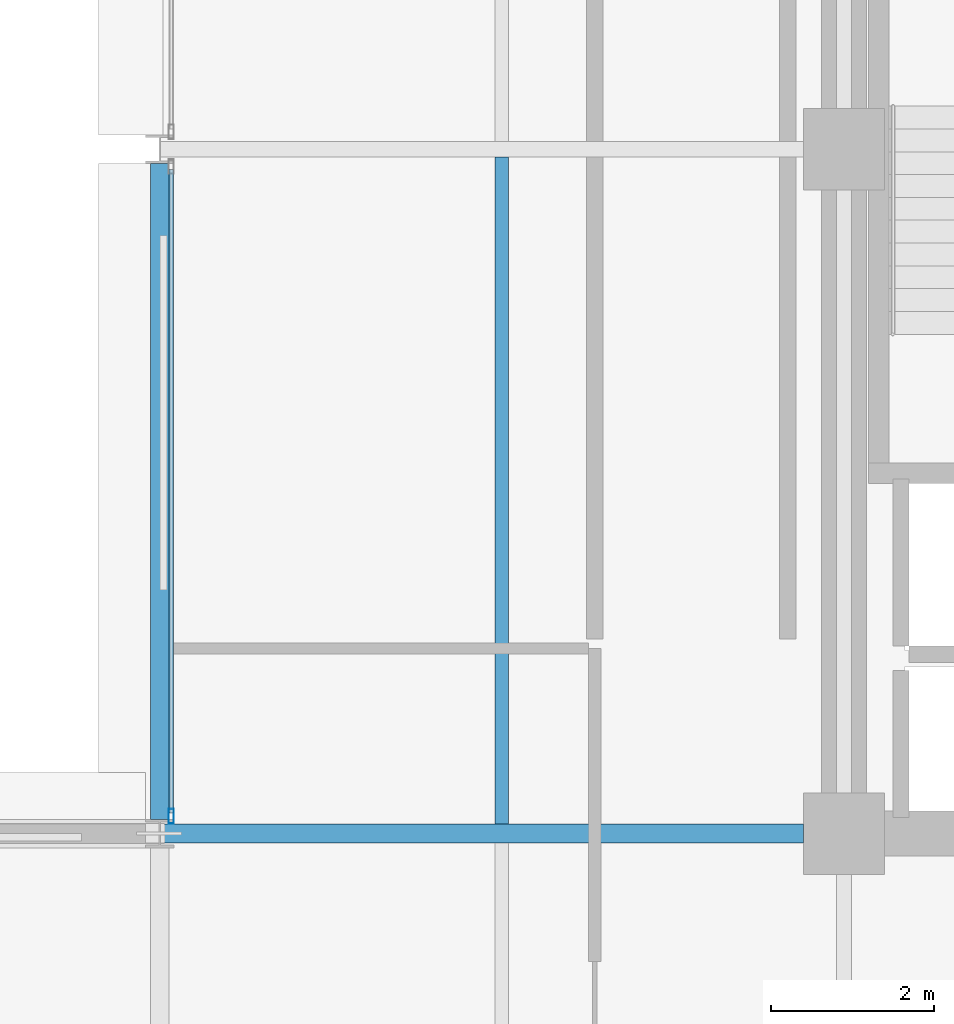
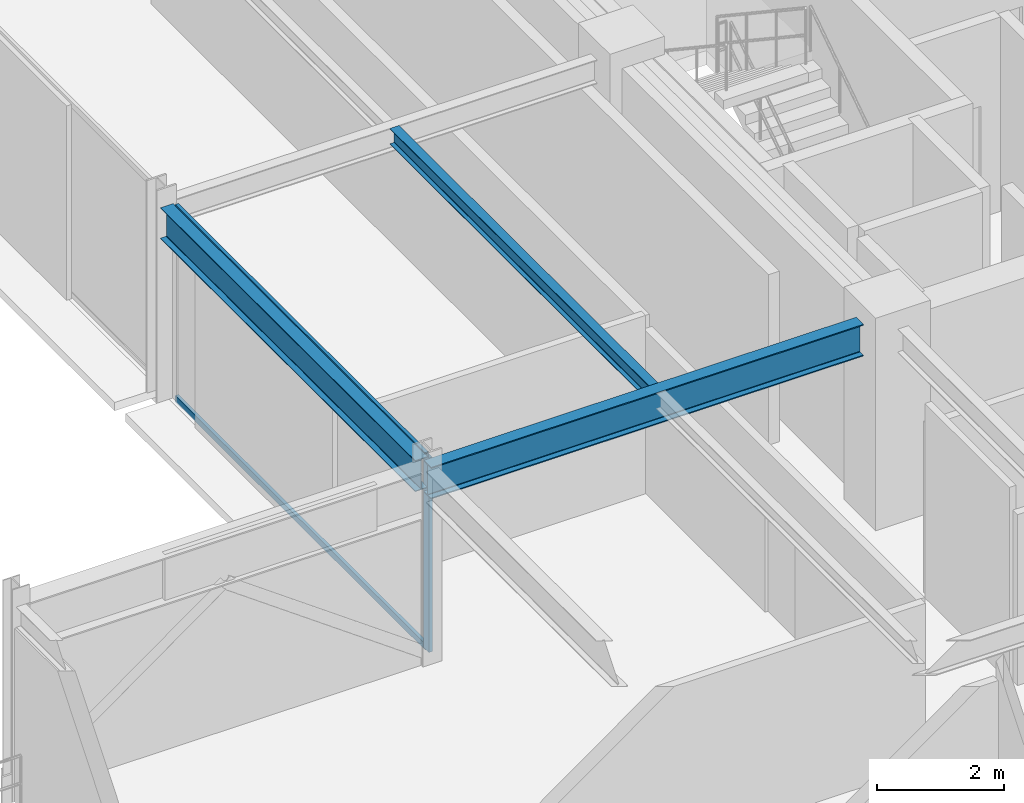
# One storey, part 9 of 30: 3 beams, 3 members, 1 element without a shape of its own.
"""IFC4 building model written with IfcOpenShell, lengths in metres."""

from ifc_helpers import new_model, si_unit, direction, frame, origin, origin_2d, place, context, subcontext, project, spatial, hollow_rectangle, i_section, extrude, material, layer, layer_set, material_profile, profile_set, type_object, element, aggregate, save


model = new_model("IFC4")

# Units and contexts
model_context = context("Model", 3, precision=1e-05, world=origin(), true_north=direction((0.0, 1.0)))
body_context = subcontext(model_context, "Body", "Model", "MODEL_VIEW")
ifc_project = project(units=[si_unit("LENGTHUNIT", "METRE"), si_unit("AREAUNIT", "SQUARE_METRE"), si_unit("VOLUMEUNIT", "CUBIC_METRE"), si_unit("PLANEANGLEUNIT", "RADIAN"), si_unit("MASSUNIT", "GRAM", prefix="KILO")], contexts=[model_context])

# Site, building, storey
site_placement = place(None, origin())
site = spatial("IfcSite", under=ifc_project, at=site_placement, CompositionType="ELEMENT")
building_placement = place(site_placement, origin())
building = spatial("IfcBuilding", under=site, at=building_placement, Name="Nerrivon Quay Data Exchange", CompositionType="ELEMENT")
storey_placement = place(building_placement, frame((0.0, 0.0, 216.5)))
storey = spatial("IfcBuildingStorey", under=building, at=storey_placement, Name="L51", CompositionType="ELEMENT", Elevation=216.5)

# Beams
ifc_material_1 = material(Name="Steel Grade 350", Category="steel")
ifc_material_profile_1 = material_profile(ifc_material_1, i_section(OverallWidth=0.22900390625, OverallDepth=0.612060546875, WebThickness=0.011962890625, FlangeThickness=0.01953125, FilletRadius=0.013916015625, at=origin_2d()), Name="610UB125")
ifc_profile_set_1 = profile_set([ifc_material_profile_1], Name="Steel Grade 350")
beam_type_1 = type_object("IfcBeamType", Name="BM-G1-610UB125", PredefinedType="BEAM", material=ifc_profile_set_1)
beam_1_placement = place(storey_placement, frame((0.010009765625, 25.199951171875, 3.444091796875), z_axis=(1.0, 0.0, 0.0), x_axis=(0.0, 1.0, 0.0)))
element("IfcBeam", 1, at=beam_1_placement, inside=storey, type_object=beam_type_1, Name="L51 EW Girder Y=25.2 (0.0..8.4)", PredefinedType="BEAM", context=body_context, shape_type="SweptSolid", body=[
    extrude(i_section(OverallWidth=0.22900390625, OverallDepth=0.612060546875, WebThickness=0.011962890625, FlangeThickness=0.01953125, FilletRadius=0.013916015625, at=origin_2d()), origin(), (0.0, 0.0, 1.0), 7.889892578125),
])
ifc_material_profile_2 = material_profile(ifc_material_1, i_section(OverallWidth=0.22802734375, OverallDepth=0.60205078125, WebThickness=0.010498046875, FlangeThickness=0.014892578125, FilletRadius=0.013916015625, at=origin_2d()), Name="610UB101")
ifc_profile_set_2 = profile_set([ifc_material_profile_2], Name="Steel Grade 350")
beam_type_2 = type_object("IfcBeamType", Name="BM-G2-610UB101", PredefinedType="BEAM", material=ifc_profile_set_2)
beam_2_placement = place(storey_placement, frame((0.0, 25.375, 3.448974609375), z_axis=(0.0, 1.0, 0.0), x_axis=(-1.0, 0.0, 0.0)))
element("IfcBeam", 2, at=beam_2_placement, inside=storey, type_object=beam_type_2, Name="L51 NS Girder X=0.0 (25.2..33.6)", PredefinedType="BEAM", context=body_context, shape_type="SweptSolid", body=[
    extrude(i_section(OverallWidth=0.22802734375, OverallDepth=0.60205078125, WebThickness=0.010498046875, FlangeThickness=0.014892578125, FilletRadius=0.013916015625, at=origin_2d()), origin(), (0.0, 0.0, 1.0), 8.050048828125),
])
ifc_material_profile_3 = material_profile(ifc_material_1, i_section(OverallWidth=0.166015625, OverallDepth=0.306884765625, WebThickness=0.006591796875, FlangeThickness=0.01171875, FilletRadius=0.011474609375, at=origin_2d()), Name="310UB46.2")
ifc_profile_set_3 = profile_set([ifc_material_profile_3], Name="Steel Grade 350")
beam_type_3 = type_object("IfcBeamType", Name="BM-J5-310UB46", PredefinedType="JOIST", material=ifc_profile_set_3)
beam_3_placement = place(storey_placement, frame((4.199951171875, 25.314453125, 3.596435546875), z_axis=(0.0, 1.0, 0.0), x_axis=(-1.0, 0.0, 0.0)))
element("IfcBeam", 3, at=beam_3_placement, inside=storey, type_object=beam_type_3, Name="L51 Secondary Joist X=4.2 (25.2..33.6)", PredefinedType="JOIST", context=body_context, shape_type="SweptSolid", body=[
    extrude(i_section(OverallWidth=0.166015625, OverallDepth=0.306884765625, WebThickness=0.006591796875, FlangeThickness=0.01171875, FilletRadius=0.011474609375, at=origin_2d()), origin(), (0.0, 0.0, 1.0), 8.18994140625),
])

# Curtain wall, members
ifc_material_2 = material(Name="Anodised aluminium 6063-T6", Category="aluminium")
ifc_layer = layer(ifc_material_2, 0.195068359375)
ifc_layer_set = layer_set([ifc_layer], Name="Anodised aluminium 6063-T6")
curtain_wall_type = type_object("IfcCurtainWallType", Name="CW-SYS-06", PredefinedType="NOTDEFINED", material=ifc_layer_set)
curtain_wall_placement = place(storey_placement, origin())
curtain_wall = element("IfcCurtainWall", 4, at=curtain_wall_placement, inside=storey, type_object=curtain_wall_type, Name="L51 Unitised Curtain Wall 4", PredefinedType="NOTDEFINED")
ifc_material_profile_4 = material_profile(ifc_material_2, hollow_rectangle(XDim=0.06494140625, YDim=0.179931640625, WallThickness=0.00341796875, at=origin_2d()), Name="ALU-MULL-180x65")
ifc_profile_set_4 = profile_set([ifc_material_profile_4], Name="Anodised aluminium 6063-T6")
member_type_1 = type_object("IfcMemberType", Name="CWM-180x65", PredefinedType="MULLION", material=ifc_profile_set_4)
member_1_placement = place(storey_placement, frame((0.139892578125, 25.41259765625, 0.0), z_axis=(0.0, 0.0, 1.0), x_axis=(-1.0, 0.0, 0.0)))
member_1 = element("IfcMember", 5, at=member_1_placement, type_object=member_type_1, Name="CW06 mullion 1", PredefinedType="MULLION", context=body_context, shape_type="SweptSolid", body=[
    extrude(hollow_rectangle(XDim=0.06494140625, YDim=0.179931640625, WallThickness=0.00341796875, at=origin_2d()), origin(), (0.0, 0.0, 1.0), 3.75),
])
ifc_material_profile_5 = material_profile(ifc_material_2, hollow_rectangle(XDim=0.06005859375, YDim=0.1201171875, WallThickness=0.003173828125, at=origin_2d()), Name="ALU-TRAN-120x60")
ifc_profile_set_5 = profile_set([ifc_material_profile_5], Name="Anodised aluminium 6063-T6")
member_type_2 = type_object("IfcMemberType", Name="CWT-120x60", PredefinedType="USERDEFINED", material=ifc_profile_set_5)
member_2_placement = place(storey_placement, frame((0.139892578125, 25.449951171875, 0.032470703125), z_axis=(0.0, 1.0, 0.0), x_axis=(-1.0, 0.0, 0.0)))
member_2 = element("IfcMember", 6, at=member_2_placement, type_object=member_type_2, Name="CW06 transom 1.1", ObjectType="TRANSOM", PredefinedType="USERDEFINED", context=body_context, shape_type="SweptSolid", body=[
    extrude(hollow_rectangle(XDim=0.06005859375, YDim=0.1201171875, WallThickness=0.003173828125, at=origin_2d()), origin(), (0.0, 0.0, 1.0), 7.900146484375),
])
member_3_placement = place(storey_placement, frame((0.139892578125, 25.449951171875, 3.717529296875), z_axis=(0.0, 1.0, 0.0), x_axis=(-1.0, 0.0, 0.0)))
member_3 = element("IfcMember", 7, at=member_3_placement, type_object=member_type_2, Name="CW06 transom 1.2", ObjectType="TRANSOM", PredefinedType="USERDEFINED", context=body_context, shape_type="SweptSolid", body=[
    extrude(hollow_rectangle(XDim=0.06005859375, YDim=0.1201171875, WallThickness=0.003173828125, at=origin_2d()), origin(), (0.0, 0.0, 1.0), 7.900146484375),
])
aggregate(curtain_wall, [member_1, member_2, member_3])

save(model, "model.ifc")
